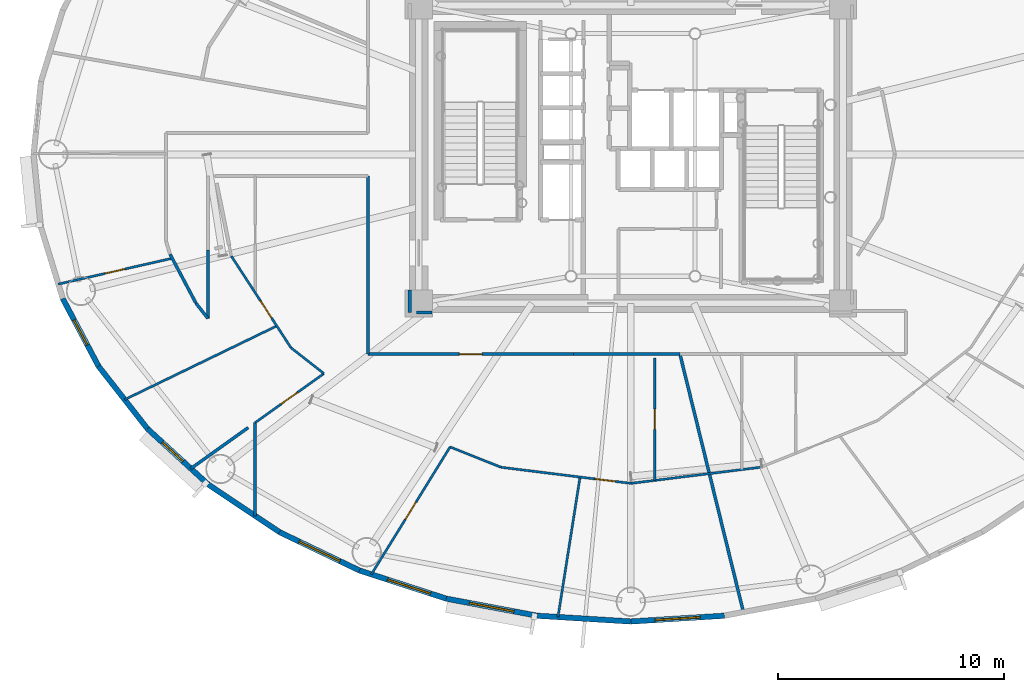
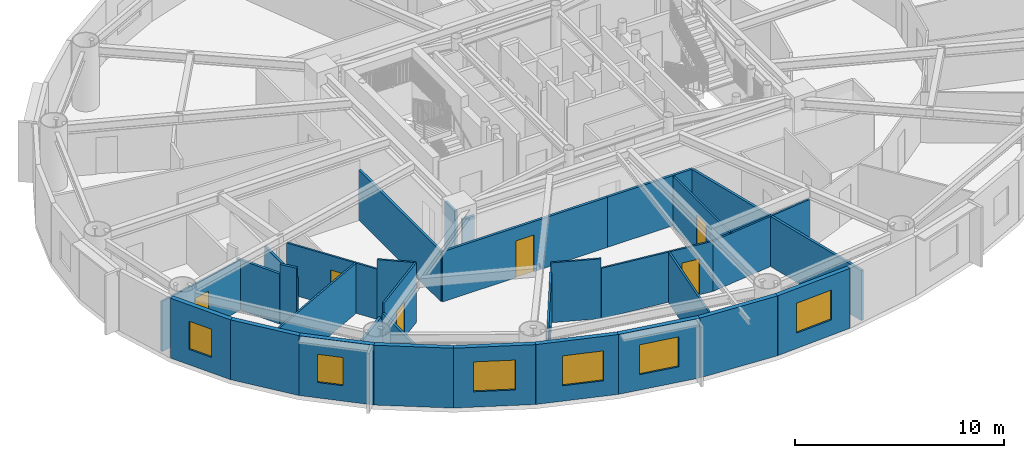
# One storey, part 9 of 21: 31 walls, 7 doors, 6 windows, 13 openings.
"""IFC4 building model written with IfcOpenShell, lengths in metres."""

import ifcopenshell
import ifcopenshell.guid

model = None  # the IFC model being written
_history = None  # IfcOwnerHistory: only IFC2X3 demands one
_inside = {}  # id of a spatial element -> (the spatial element, [elements in it])
_under = {}  # id of a project, library or spatial element -> (it, [spatial elements below it])
_declared = {}  # id of a project -> (the project, [libraries it declares])
_typed = {}  # id of a type object -> (the type object, [elements of that type])
_made_of = {}  # id of a material, layer set ... -> (it, [elements and type objects made of it])


def new_model(schema):
    """Start an empty IFC model of exactly this schema.

    Asked for "IFC4X3", IfcOpenShell would pick the latest addendum, in which some entities
    have other attributes; the version numbers below select the first issue.
    IFC2X3 requires an IfcOwnerHistory on every rooted entity: one is made here for all.
    """
    global model, _history
    if schema == "IFC4X3":
        model = ifcopenshell.file(schema_version=(4, 3, 0, 0))
    else:
        model = ifcopenshell.file(schema=schema)
    _inside.clear()
    _under.clear()
    _declared.clear()
    _typed.clear()
    _made_of.clear()
    _history = None
    if model.schema == "IFC2X3":
        org = make("IfcOrganization", Name="unknown")
        user = make(
            "IfcPersonAndOrganization",
            ThePerson=make("IfcPerson", FamilyName="unknown"),
            TheOrganization=org,
        )
        app = make(
            "IfcApplication",
            ApplicationDeveloper=org,
            Version="unknown",
            ApplicationFullName="unknown",
            ApplicationIdentifier="unknown",
        )
        _history = make(
            "IfcOwnerHistory",
            OwningUser=user,
            OwningApplication=app,
            ChangeAction="ADDED",
            CreationDate=0,
        )
    return model


def make(cls, **values):
    """One entity of the class cls with the attributes given. An attribute that is None is left unset."""
    return model.create_entity(
        cls, **{name: value for name, value in values.items() if value is not None}
    )


def rooted(cls, **values):
    """An entity with a GlobalId (a new one), such as an element, a storey or a relation."""
    return make(cls, GlobalId=ifcopenshell.guid.new(), OwnerHistory=_history, **values)


def si_unit(unit_type, name, prefix=None):
    """IfcSIUnit, for example si_unit("LENGTHUNIT", "METRE", prefix="MILLI")."""
    return make("IfcSIUnit", UnitType=unit_type, Prefix=prefix, Name=name)


def assignment(units):
    """IfcUnitAssignment: the units of a project."""
    return None if units is None else make("IfcUnitAssignment", Units=units)


def point(xyz):
    """IfcCartesianPoint."""
    return None if xyz is None else make("IfcCartesianPoint", Coordinates=xyz)


def direction(xyz):
    """IfcDirection."""
    return None if xyz is None else make("IfcDirection", DirectionRatios=xyz)


def frame(location, z_axis=None, x_axis=None):
    """IfcAxis2Placement3D, a coordinate frame: its origin and axes. An axis left out is left unset."""
    return make(
        "IfcAxis2Placement3D",
        Location=point(location),
        Axis=direction(z_axis),
        RefDirection=direction(x_axis),
    )


def frame_2d(location, x_axis=None):
    """IfcAxis2Placement2D, a coordinate frame in the plane: its origin and x axis."""
    return make(
        "IfcAxis2Placement2D", Location=point(location), RefDirection=direction(x_axis)
    )


def origin():
    """The frame at (0, 0, 0) with its axes left unset."""
    return frame((0.0, 0.0, 0.0))


def origin_2d():
    """The frame at (0, 0) in the plane with its x axis left unset."""
    return frame_2d((0.0, 0.0))


def place(relative_to, where):
    """IfcLocalPlacement: puts the frame where relative to a parent placement (None: the world)."""
    return make(
        "IfcLocalPlacement", PlacementRelTo=relative_to, RelativePlacement=where
    )


def context(
    kind, dimensions, precision=None, world=None, true_north=None, identifier=None
):
    """IfcGeometricRepresentationContext, for example the 3D "Model" context."""
    return make(
        "IfcGeometricRepresentationContext",
        ContextIdentifier=identifier,
        ContextType=kind,
        CoordinateSpaceDimension=dimensions,
        Precision=precision,
        WorldCoordinateSystem=world,
        TrueNorth=true_north,
    )


def subcontext(parent, identifier, kind, view, scale=None):
    """IfcGeometricRepresentationSubContext, for example "Body" below "Model"."""
    return make(
        "IfcGeometricRepresentationSubContext",
        ContextIdentifier=identifier,
        ContextType=kind,
        ParentContext=parent,
        TargetScale=scale,
        TargetView=view,
    )


def project(units=None, contexts=None):
    """IfcProject with its units and contexts."""
    return rooted(
        "IfcProject",
        Name="project",
        RepresentationContexts=contexts,
        UnitsInContext=assignment(units),
    )


def spatial(cls, under=None, at=None, **own):
    """A site, building, storey or space (cls), placed at a placement, below another one or the project."""
    s = rooted(cls, ObjectPlacement=at, **own)
    if under is not None:
        _under.setdefault(under.id(), (under, []))[1].append(s)
    return s


def profile(cls, at=None, kind="AREA", **sizes):
    """A parametric profile (cls). Its sizes go by their IFC names, for example OverallWidth=200.0."""
    return make(cls, ProfileType=kind, Position=at, **sizes)


def rectangle(**sizes):
    """IfcRectangleProfileDef."""
    return profile("IfcRectangleProfileDef", **sizes)


def extrude(swept, where, along, depth):
    """IfcExtrudedAreaSolid: the profile swept, set in the frame where, extruded along a direction by depth."""
    return make(
        "IfcExtrudedAreaSolid",
        SweptArea=swept,
        Position=where,
        ExtrudedDirection=direction(along),
        Depth=depth,
    )


def shape(context_of_items, identifier, shape_type, items):
    """IfcShapeRepresentation: the items that make up one representation, for example the "Body"."""
    return make(
        "IfcShapeRepresentation",
        ContextOfItems=context_of_items,
        RepresentationIdentifier=identifier,
        RepresentationType=shape_type,
        Items=items,
    )


def source(mapping_origin, context_of_items, identifier, shape_type, items):
    """IfcRepresentationMap: a shape defined once, which mapped items show again and again."""
    return make(
        "IfcRepresentationMap",
        MappingOrigin=mapping_origin,
        MappedRepresentation=shape(context_of_items, identifier, shape_type, items),
    )


def transform(
    local_origin,
    x_axis=None,
    y_axis=None,
    z_axis=None,
    scale=None,
    scale2=None,
    scale3=None,
    uniform=True,
):
    """IfcCartesianTransformationOperator3D, or its non-uniform kind. x_axis, y_axis, z_axis: its Axis1, 2, 3."""
    if uniform:
        return make(
            "IfcCartesianTransformationOperator3D",
            Axis1=direction(x_axis),
            Axis2=direction(y_axis),
            LocalOrigin=point(local_origin),
            Scale=scale,
            Axis3=direction(z_axis),
        )
    return make(
        "IfcCartesianTransformationOperator3DnonUniform",
        Axis1=direction(x_axis),
        Axis2=direction(y_axis),
        LocalOrigin=point(local_origin),
        Scale=scale,
        Axis3=direction(z_axis),
        Scale2=scale2,
        Scale3=scale3,
    )


def mapped(mapping_source, mapping_target):
    """IfcMappedItem: shows the shape of a source again, moved by a transform."""
    return make(
        "IfcMappedItem", MappingSource=mapping_source, MappingTarget=mapping_target
    )


def material(Name=None, Category=None):
    """IfcMaterial."""
    return make("IfcMaterial", Name=Name, Category=Category)


def layer(
    of_material, thickness, ventilated=None, Name=None, Category=None, Priority=None
):
    """IfcMaterialLayer: one layer of a wall or slab, of a material (None: an air gap)."""
    return make(
        "IfcMaterialLayer",
        Material=of_material,
        LayerThickness=thickness,
        IsVentilated=ventilated,
        Name=Name,
        Category=Category,
        Priority=Priority,
    )


def layer_set(layers, Name=None):
    """IfcMaterialLayerSet."""
    return make("IfcMaterialLayerSet", MaterialLayers=layers, LayerSetName=Name)


def made_of(thing, what):
    """Note that an element or type object is made of a material, layer set ...; save() writes the relation."""
    if what is not None:
        _made_of.setdefault(what.id(), (what, []))[1].append(thing)
    return thing


def type_object(cls, material=None, **own):
    """A type object (cls), such as IfcWallType, which elements share."""
    return made_of(rooted(cls, **own), material)


def element(
    cls,
    number,
    at=None,
    inside=None,
    cuts=None,
    type_object=None,
    material=None,
    context=None,
    identifier="Body",
    shape_type=None,
    held_by="IfcProductDefinitionShape",
    body=None,
    shapes=None,
    **own,
):
    """One element of the class cls, such as IfcWall. Its Tag is "e" and its number.

    at: its placement. inside: the storey or other place that contains it. cuts: it is an
    opening in that element (IfcRelVoidsElement). A single representation is given by context,
    identifier, shape_type and body (its items); several are given by shapes. held_by: the class
    of the entity that holds the representations. save() writes the other relations.
    """
    e = rooted(cls, Tag="e%d" % number, ObjectPlacement=at, **own)
    if body is not None:
        shapes = [shape(context, identifier, shape_type, body)]
    if shapes is not None:
        e.Representation = make(held_by, Representations=shapes)
    if inside is not None:
        _inside.setdefault(inside.id(), (inside, []))[1].append(e)
    if cuts is not None:
        rooted(
            "IfcRelVoidsElement", RelatingBuildingElement=cuts, RelatedOpeningElement=e
        )
    if type_object is not None:
        _typed.setdefault(type_object.id(), (type_object, []))[1].append(e)
    return made_of(e, material)


def fill(opening, filler):
    """IfcRelFillsElement: the door or window that sits in an opening."""
    return rooted(
        "IfcRelFillsElement",
        RelatingOpeningElement=opening,
        RelatedBuildingElement=filler,
    )


def aggregate(whole, parts):
    """IfcRelAggregates: a whole, such as a stair, and the parts it consists of."""
    return rooted("IfcRelAggregates", RelatingObject=whole, RelatedObjects=parts)


def save(model, path):
    """Write the relations noted so far, then the file.

    IfcRelAggregates (storeys below a building ...), IfcRelContainedInSpatialStructure (elements
    in a storey), IfcRelDefinesByType, IfcRelAssociatesMaterial and IfcRelDeclares: one each for
    every whole, place, type object, material and project.
    """
    for whole, parts in _under.values():
        aggregate(whole, parts)
    for where, things in _inside.values():
        rooted(
            "IfcRelContainedInSpatialStructure",
            RelatedElements=things,
            RelatingStructure=where,
        )
    for kind, things in _typed.values():
        rooted("IfcRelDefinesByType", RelatedObjects=things, RelatingType=kind)
    for what, things in _made_of.values():
        rooted("IfcRelAssociatesMaterial", RelatedObjects=things, RelatingMaterial=what)
    for by, libraries in _declared.values():
        rooted("IfcRelDeclares", RelatingContext=by, RelatedDefinitions=libraries)
    model.write(path)


model = new_model("IFC4")

# Units and contexts
model_context = context("Model", 3, precision=1e-05, world=origin(), true_north=direction((0.0, 1.0)))
body_context = subcontext(model_context, "Body", "Model", "MODEL_VIEW")
ifc_project = project(units=[si_unit("LENGTHUNIT", "METRE"), si_unit("AREAUNIT", "SQUARE_METRE"), si_unit("VOLUMEUNIT", "CUBIC_METRE"), si_unit("PLANEANGLEUNIT", "RADIAN"), si_unit("MASSUNIT", "GRAM", prefix="KILO")], contexts=[model_context])

# Site, building, storey
site_placement = place(None, origin())
site = spatial("IfcSite", under=ifc_project, at=site_placement, CompositionType="ELEMENT")
building_placement = place(site_placement, origin())
building = spatial("IfcBuilding", under=site, at=building_placement, Name="Linh Dai School and Residence Tower", CompositionType="ELEMENT")
storey_placement = place(building_placement, frame((0.0, 0.0, 189.89990234375)))
storey = spatial("IfcBuildingStorey", under=building, at=storey_placement, Name="L46", CompositionType="ELEMENT", Elevation=189.89990234375)

# Wall, opening, window
ifc_material_1 = material(Name="Precast Concrete B45 (C35/45)", Category="concrete")
ifc_layer_1 = layer(ifc_material_1, 0.239990234375)
ifc_layer_set_1 = layer_set([ifc_layer_1], Name="Precast Concrete B45 (C35/45)")
wall_type_1 = type_object("IfcWallType", Name="EW-TC-240", PredefinedType="SOLIDWALL", material=ifc_layer_set_1)
wall_1_placement = place(storey_placement, frame((12.404052734375, 17.611572265625, 0.0), z_axis=(0.0, 0.0, 1.0), x_axis=(-0.467586874938, 0.88394712194, 0.0)))
wall_1 = element("IfcWall", 1, at=wall_1_placement, inside=storey, type_object=wall_type_1, Name="L46 Terracotta Exterior Wall 23", PredefinedType="SOLIDWALL", context=body_context, shape_type="SweptSolid", body=[
    extrude(rectangle(XDim=3.393310546875, YDim=0.239990234375, at=frame_2d((1.69677734375, 0.0))), origin(), (0.0, 0.0, 1.0), 3.5),
])
opening_1_placement = place(wall_1_placement, frame((1.07177734375, 0.0, 0.89990234375)))
opening_1 = element("IfcOpeningElement", 2, at=opening_1_placement, cuts=wall_1, Name="Opening W3", PredefinedType="OPENING", context=body_context, shape_type="SweptSolid", body=[
    extrude(rectangle(XDim=1.25, YDim=1.64990234375, at=origin_2d()), frame((0.625, 0.1298828125, 0.824951171875), z_axis=(0.0, -1.0, 0.0), x_axis=(1.0, 0.0, 0.0)), (0.0, 0.0, 1.0), 0.260009765625),
])
ifc_material_2 = material(Name="Double Low-E Insulated Glazing", Category="glass")
window_type_1 = type_object("IfcWindowType", Name="WN-RES-1250x1650", PartitioningType="SINGLE_PANEL", PredefinedType="WINDOW", material=ifc_material_2)
shared_shape_1 = source(origin(), body_context, "Body", "SweptSolid", [
    extrude(rectangle(XDim=1.25, YDim=1.64990234375, at=origin_2d()), frame((0.625, 0.030029296875, 0.824951171875), z_axis=(0.0, -1.0, 0.0), x_axis=(1.0, 0.0, 0.0)), (0.0, 0.0, 1.0), 0.06005859375),
])
window_1_placement = place(opening_1_placement, origin())
window_1 = element("IfcWindow", 3, at=window_1_placement, inside=storey, type_object=window_type_1, Name="L46 Dwelling Window U4601-BD2", OverallHeight=1.64990234375, OverallWidth=1.25, PartitioningType="SINGLE_PANEL", PredefinedType="WINDOW", context=body_context, shape_type="MappedRepresentation", body=[
    mapped(shared_shape_1, transform((0.0, 0.0, 0.0), x_axis=(1.0, 0.0, 0.0), y_axis=(0.0, 1.0, 0.0), z_axis=(0.0, 0.0, 1.0), scale=1.0)),
])
fill(opening_1, window_1)

# Wall
wall_2_placement = place(storey_placement, frame((14.57177734375, 14.841552734375, 0.0), z_axis=(0.0, 0.0, 1.0), x_axis=(-0.616287674549, 0.787521112224, 0.0)))
element("IfcWall", 4, at=wall_2_placement, inside=storey, type_object=wall_type_1, Name="L46 Terracotta Exterior Wall 24", PredefinedType="SOLIDWALL", context=body_context, shape_type="SweptSolid", body=[
    extrude(rectangle(XDim=3.517333984375, YDim=0.239990234375, at=frame_2d((1.7587890625, 0.0))), origin(), (0.0, 0.0, 1.0), 3.5),
])

# Wall, opening, window
wall_3_placement = place(storey_placement, frame((17.26806640625, 12.369384765625, 0.0), z_axis=(0.0, 0.0, 1.0), x_axis=(-0.737076565834, 0.675809245349, 0.0)))
wall_3 = element("IfcWall", 5, at=wall_3_placement, inside=storey, type_object=wall_type_1, Name="L46 Terracotta Exterior Wall 25", PredefinedType="SOLIDWALL", context=body_context, shape_type="SweptSolid", body=[
    extrude(rectangle(XDim=3.658203125, YDim=0.239990234375, at=frame_2d((1.8291015625, 0.0))), origin(), (0.0, 0.0, 1.0), 3.5),
])
opening_2_placement = place(wall_3_placement, frame((1.51806640625, 0.0, 0.89990234375)))
opening_2 = element("IfcOpeningElement", 6, at=opening_2_placement, cuts=wall_3, Name="Opening W3", PredefinedType="OPENING", context=body_context, shape_type="SweptSolid", body=[
    extrude(rectangle(XDim=1.25, YDim=1.64990234375, at=origin_2d()), frame((0.625, 0.1298828125, 0.824951171875), z_axis=(0.0, -1.0, 0.0), x_axis=(1.0, 0.0, 0.0)), (0.0, 0.0, 1.0), 0.260009765625),
])
window_2_placement = place(opening_2_placement, origin())
window_2 = element("IfcWindow", 7, at=window_2_placement, inside=storey, type_object=window_type_1, Name="L46 Exterior Window 25.1", OverallHeight=1.64990234375, OverallWidth=1.25, PartitioningType="SINGLE_PANEL", PredefinedType="WINDOW", context=body_context, shape_type="MappedRepresentation", body=[
    mapped(shared_shape_1, transform((0.0, 0.0, 0.0), x_axis=(1.0, 0.0, 0.0), y_axis=(0.0, 1.0, 0.0), z_axis=(0.0, 0.0, 1.0), scale=1.0)),
])
fill(opening_2, window_2)

# Wall
wall_4_placement = place(storey_placement, frame((20.4267578125, 10.2568359375, 0.0), z_axis=(0.0, 0.0, 1.0), x_axis=(-0.831228998277, 0.555930168657, 0.0)))
element("IfcWall", 8, at=wall_4_placement, inside=storey, type_object=wall_type_1, Name="L46 Terracotta Exterior Wall 26", PredefinedType="SOLIDWALL", context=body_context, shape_type="SweptSolid", body=[
    extrude(rectangle(XDim=3.800048828125, YDim=0.239990234375, at=frame_2d((1.89990234375, 0.0))), origin(), (0.0, 0.0, 1.0), 3.5),
])

# Wall, opening, window
wall_5_placement = place(storey_placement, frame((23.97021484375, 8.556396484375, 0.0), z_axis=(0.0, 0.0, 1.0), x_axis=(-0.901564733809, 0.432644231155, 0.0)))
wall_5 = element("IfcWall", 9, at=wall_5_placement, inside=storey, type_object=wall_type_1, Name="L46 Terracotta Exterior Wall 27", PredefinedType="SOLIDWALL", context=body_context, shape_type="SweptSolid", body=[
    extrude(rectangle(XDim=3.930419921875, YDim=0.239990234375, at=frame_2d((1.96533203125, 0.0))), origin(), (0.0, 0.0, 1.0), 3.5),
])
opening_3_placement = place(wall_5_placement, frame((0.965087890625, 0.0, 0.89990234375)))
opening_3 = element("IfcOpeningElement", 10, at=opening_3_placement, cuts=wall_5, Name="Opening W1", PredefinedType="OPENING", context=body_context, shape_type="SweptSolid", body=[
    extrude(rectangle(XDim=2.0, YDim=1.75, at=origin_2d()), frame((1.0, 0.1298828125, 0.875), z_axis=(0.0, -1.0, 0.0), x_axis=(1.0, 0.0, 0.0)), (0.0, 0.0, 1.0), 0.260009765625),
])
window_type_2 = type_object("IfcWindowType", Name="WN-RES-2000x1750", PartitioningType="DOUBLE_PANEL_VERTICAL", PredefinedType="WINDOW", material=ifc_material_2)
shared_shape_2 = source(origin(), body_context, "Body", "SweptSolid", [
    extrude(rectangle(XDim=2.0, YDim=1.75, at=origin_2d()), frame((1.0, 0.030029296875, 0.875), z_axis=(0.0, -1.0, 0.0), x_axis=(1.0, 0.0, 0.0)), (0.0, 0.0, 1.0), 0.06005859375),
])
window_3_placement = place(opening_3_placement, origin())
window_3 = element("IfcWindow", 11, at=window_3_placement, inside=storey, type_object=window_type_2, Name="L46 Exterior Window 27.1", OverallHeight=1.75, OverallWidth=2.0, PartitioningType="DOUBLE_PANEL_VERTICAL", PredefinedType="WINDOW", context=body_context, shape_type="MappedRepresentation", body=[
    mapped(shared_shape_2, transform((0.0, 0.0, 0.0), x_axis=(1.0, 0.0, 0.0), y_axis=(0.0, 1.0, 0.0), z_axis=(0.0, 0.0, 1.0), scale=1.0)),
])
fill(opening_3, window_3)

wall_6_placement = place(storey_placement, frame((27.81103515625, 7.310546875, 0.0), z_axis=(0.0, 0.0, 1.0), x_axis=(-0.951209870236, 0.30854462038, 0.0)))
wall_6 = element("IfcWall", 12, at=wall_6_placement, inside=storey, type_object=wall_type_1, Name="L46 Terracotta Exterior Wall 28", PredefinedType="SOLIDWALL", context=body_context, shape_type="SweptSolid", body=[
    extrude(rectangle(XDim=4.037841796875, YDim=0.239990234375, at=frame_2d((2.01904296875, 0.0))), origin(), (0.0, 0.0, 1.0), 3.5),
])
opening_4_placement = place(wall_6_placement, frame((0.7294921875, 0.0, 0.89990234375)))
opening_4 = element("IfcOpeningElement", 13, at=opening_4_placement, cuts=wall_6, Name="Opening W1", PredefinedType="OPENING", context=body_context, shape_type="SweptSolid", body=[
    extrude(rectangle(XDim=2.0, YDim=1.75, at=origin_2d()), frame((1.0, 0.1298828125, 0.875), z_axis=(0.0, -1.0, 0.0), x_axis=(1.0, 0.0, 0.0)), (0.0, 0.0, 1.0), 0.260009765625),
])
window_4_placement = place(opening_4_placement, origin())
window_4 = element("IfcWindow", 14, at=window_4_placement, inside=storey, type_object=window_type_2, Name="L46 Exterior Window 28.1", OverallHeight=1.75, OverallWidth=2.0, PartitioningType="DOUBLE_PANEL_VERTICAL", PredefinedType="WINDOW", context=body_context, shape_type="MappedRepresentation", body=[
    mapped(shared_shape_2, transform((0.0, 0.0, 0.0), x_axis=(1.0, 0.0, 0.0), y_axis=(0.0, 1.0, 0.0), z_axis=(0.0, 0.0, 1.0), scale=1.0)),
])
fill(opening_4, window_4)

wall_7_placement = place(storey_placement, frame((31.854248046875, 6.550537109375, 0.0), z_axis=(0.0, 0.0, 1.0), x_axis=(-0.982788108205, 0.184736391573, 0.0)))
wall_7 = element("IfcWall", 15, at=wall_7_placement, inside=storey, type_object=wall_type_1, Name="L46 Terracotta Exterior Wall 29", PredefinedType="SOLIDWALL", context=body_context, shape_type="SweptSolid", body=[
    extrude(rectangle(XDim=4.114013671875, YDim=0.239990234375, at=frame_2d((2.05712890625, 0.0))), origin(), (0.0, 0.0, 1.0), 3.5),
])
opening_5_placement = place(wall_7_placement, frame((1.056884765625, 0.0, 0.89990234375)))
opening_5 = element("IfcOpeningElement", 16, at=opening_5_placement, cuts=wall_7, Name="Opening W1", PredefinedType="OPENING", context=body_context, shape_type="SweptSolid", body=[
    extrude(rectangle(XDim=2.0, YDim=1.75, at=origin_2d()), frame((1.0, 0.1298828125, 0.875), z_axis=(0.0, -1.0, 0.0), x_axis=(1.0, 0.0, 0.0)), (0.0, 0.0, 1.0), 0.260009765625),
])
window_5_placement = place(opening_5_placement, origin())
window_5 = element("IfcWindow", 17, at=window_5_placement, inside=storey, type_object=window_type_2, Name="L46 Exterior Window 29.1", OverallHeight=1.75, OverallWidth=2.0, PartitioningType="DOUBLE_PANEL_VERTICAL", PredefinedType="WINDOW", context=body_context, shape_type="MappedRepresentation", body=[
    mapped(shared_shape_2, transform((0.0, 0.0, 0.0), x_axis=(1.0, 0.0, 0.0), y_axis=(0.0, 1.0, 0.0), z_axis=(0.0, 0.0, 1.0), scale=1.0)),
])
fill(opening_5, window_5)

# Wall
wall_8_placement = place(storey_placement, frame((36.0, 6.294921875, 0.0), z_axis=(0.0, 0.0, 1.0), x_axis=(-0.998104600619, 0.061540281305, 0.0)))
element("IfcWall", 18, at=wall_8_placement, inside=storey, type_object=wall_type_1, Name="L46 Terracotta Exterior Wall 30", PredefinedType="SOLIDWALL", context=body_context, shape_type="SweptSolid", body=[
    extrude(rectangle(XDim=4.153564453125, YDim=0.239990234375, at=frame_2d((2.07666015625, 0.0))), origin(), (0.0, 0.0, 1.0), 3.5),
])

# Wall, opening, window
wall_9_placement = place(storey_placement, frame((40.145751953125, 6.550537109375, 0.0), z_axis=(0.0, 0.0, 1.0), x_axis=(-0.998104600619, -0.061540281305, 0.0)))
wall_9 = element("IfcWall", 19, at=wall_9_placement, inside=storey, type_object=wall_type_1, Name="L46 Terracotta Exterior Wall 31", PredefinedType="SOLIDWALL", context=body_context, shape_type="SweptSolid", body=[
    extrude(rectangle(XDim=4.153564453125, YDim=0.239990234375, at=frame_2d((2.07666015625, 0.0))), origin(), (0.0, 0.0, 1.0), 3.5),
])
opening_6_placement = place(wall_9_placement, frame((1.076904296875, 0.0, 0.89990234375)))
opening_6 = element("IfcOpeningElement", 20, at=opening_6_placement, cuts=wall_9, Name="Opening W1", PredefinedType="OPENING", context=body_context, shape_type="SweptSolid", body=[
    extrude(rectangle(XDim=2.0, YDim=1.75, at=origin_2d()), frame((1.0, 0.1298828125, 0.875), z_axis=(0.0, -1.0, 0.0), x_axis=(1.0, 0.0, 0.0)), (0.0, 0.0, 1.0), 0.260009765625),
])
window_6_placement = place(opening_6_placement, origin())
window_6 = element("IfcWindow", 21, at=window_6_placement, inside=storey, type_object=window_type_2, Name="L46 Exterior Window 31.1", OverallHeight=1.75, OverallWidth=2.0, PartitioningType="DOUBLE_PANEL_VERTICAL", PredefinedType="WINDOW", context=body_context, shape_type="MappedRepresentation", body=[
    mapped(shared_shape_2, transform((0.0, 0.0, 0.0), x_axis=(1.0, 0.0, 0.0), y_axis=(0.0, 1.0, 0.0), z_axis=(0.0, 0.0, 1.0), scale=1.0)),
])
fill(opening_6, window_6)

# Walls
ifc_material_3 = material(Name="Autoclaved Aerated Concrete Blockwork", Category="masonry")
ifc_layer_2 = layer(ifc_material_3, 0.135009765625)
ifc_layer_set_2 = layer_set([ifc_layer_2], Name="Autoclaved Aerated Concrete Blockwork")
wall_type_2 = type_object("IfcWallType", Name="IW-CORR-135-EI90", PredefinedType="PARTITIONING", material=ifc_layer_set_2)
wall_10_placement = place(storey_placement, frame((15.57421875, 22.577880859375, 0.0), z_axis=(0.0, 0.0, 1.0), x_axis=(0.467613130075, -0.883933233102, 0.0)))
element("IfcWall", 22, at=wall_10_placement, inside=storey, type_object=wall_type_2, Name="L46 Interior Partition Wall 009", PredefinedType="PARTITIONING", context=body_context, shape_type="SweptSolid", body=[
    extrude(rectangle(XDim=2.451171875, YDim=0.135009765625, at=frame_2d((1.2255859375, 0.0))), origin(), (0.0, 0.0, 1.0), 2.93505859375),
])
wall_11_placement = place(storey_placement, frame((16.720458984375, 20.410888671875, 0.0), z_axis=(0.0, 0.0, 1.0), x_axis=(0.616377221056, -0.787451027914, 0.0)))
element("IfcWall", 23, at=wall_11_placement, inside=storey, type_object=wall_type_2, Name="L46 Interior Partition Wall 010", PredefinedType="PARTITIONING", context=body_context, shape_type="SweptSolid", body=[
    extrude(rectangle(XDim=0.859130859375, YDim=0.135009765625, at=frame_2d((0.4296875, 0.0))), origin(), (0.0, 0.0, 1.0), 3.5),
])
wall_12_placement = place(storey_placement, frame((17.25, 19.734375, 0.0), z_axis=(0.0, 0.0, 1.0), x_axis=(0.0, 1.0, 0.0)))
element("IfcWall", 24, at=wall_12_placement, inside=storey, type_object=wall_type_2, Name="L46 Interior Partition Wall 012", PredefinedType="PARTITIONING", context=body_context, shape_type="SweptSolid", body=[
    extrude(rectangle(XDim=3.01806640625, YDim=0.135009765625, at=frame_2d((1.509033203125, 0.0))), origin(), (0.0, 0.0, 1.0), 2.93505859375),
])
wall_13_placement = place(storey_placement, frame((24.35009765625, 18.14990234375, 0.0), z_axis=(0.0, 0.0, 1.0), x_axis=(0.0, 1.0, 0.0)))
element("IfcWall", 25, at=wall_13_placement, inside=storey, type_object=wall_type_2, Name="L46 Interior Partition Wall 020", PredefinedType="PARTITIONING", context=body_context, shape_type="SweptSolid", body=[
    extrude(rectangle(XDim=7.900146484375, YDim=0.135009765625, at=frame_2d((3.9501953125, 0.0))), origin(), (0.0, 0.0, 1.0), 2.93505859375),
])

# Wall, opening, door
wall_14_placement = place(storey_placement, frame((24.35009765625, 18.14990234375, 0.0), z_axis=(0.0, 0.0, 1.0), x_axis=(1.0, 0.0, 0.0)))
wall_14 = element("IfcWall", 26, at=wall_14_placement, inside=storey, type_object=wall_type_2, Name="L46 Interior Partition Wall 021", PredefinedType="PARTITIONING", context=body_context, shape_type="SweptSolid", body=[
    extrude(rectangle(XDim=9.108642578125, YDim=0.135009765625, at=frame_2d((4.55419921875, 0.0))), origin(), (0.0, 0.0, 1.0), 2.93505859375),
])
opening_7_placement = place(wall_14_placement, frame((4.05419921875, 0.0, 0.0)))
opening_7 = element("IfcOpeningElement", 27, at=opening_7_placement, cuts=wall_14, Name="Opening D03", PredefinedType="OPENING", context=body_context, shape_type="SweptSolid", body=[
    extrude(rectangle(XDim=1.0, YDim=2.14990234375, at=origin_2d()), frame((0.5, 0.07763671875, 1.074951171875), z_axis=(0.0, -1.0, 0.0), x_axis=(1.0, 0.0, 0.0)), (0.0, 0.0, 1.0), 0.155029296875),
])
ifc_material_4 = material(Name="Fire-Rated Solid Timber Entrance Door", Category="wood")
door_type_1 = type_object("IfcDoorType", Name="DR-FLAT-1000x2150-FD60S", OperationType="NOTDEFINED", PredefinedType="DOOR", material=ifc_material_4)
shared_shape_3 = source(origin(), body_context, "Body", "SweptSolid", [
    extrude(rectangle(XDim=1.0, YDim=2.14990234375, at=origin_2d()), frame((0.5, 0.02490234375, 1.074951171875), z_axis=(0.0, -1.0, 0.0), x_axis=(1.0, 0.0, 0.0)), (0.0, 0.0, 1.0), 0.050048828125),
])
door_1_placement = place(opening_7_placement, origin())
door_1 = element("IfcDoor", 28, at=door_1_placement, inside=storey, type_object=door_type_1, Name="L46 U4601 Apartment Entrance Door", OperationType="SINGLE_SWING_LEFT", OverallHeight=2.14990234375, OverallWidth=1.0, PredefinedType="DOOR", context=body_context, shape_type="MappedRepresentation", body=[
    mapped(shared_shape_3, transform((0.0, 0.0, 0.0), x_axis=(1.0, 0.0, 0.0), y_axis=(0.0, 1.0, 0.0), z_axis=(0.0, 0.0, 1.0), scale=1.0)),
])
fill(opening_7, door_1)

# Walls
wall_15_placement = place(storey_placement, frame((38.187744140625, 18.106201171875, 0.0), z_axis=(0.0, 0.0, 1.0), x_axis=(0.238849835997, -0.971056515268, 0.0)))
element("IfcWall", 29, at=wall_15_placement, inside=storey, type_object=wall_type_2, Name="L46 Interior Partition Wall 060", PredefinedType="PARTITIONING", context=body_context, shape_type="SweptSolid", body=[
    extrude(rectangle(XDim=11.741455078125, YDim=0.135009765625, at=frame_2d((5.87060546875, 0.0))), origin(), (0.0, 0.0, 1.0), 2.93505859375),
])
wall_16_placement = place(storey_placement, frame((26.199951171875, 20.989990234375, 0.0), z_axis=(0.0, 0.0, 1.0), x_axis=(0.0, -1.0, 0.0)))
element("IfcWall", 30, at=wall_16_placement, inside=storey, type_object=wall_type_2, Name="L46 Interior Partition Wall 102", PredefinedType="PARTITIONING", context=body_context, shape_type="SweptSolid", body=[
    extrude(rectangle(XDim=0.989990234375, YDim=0.135009765625, at=frame_2d((0.4951171875, 0.0))), origin(), (0.0, 0.0, 1.0), 3.5),
])
wall_17_placement = place(storey_placement, frame((26.507568359375, 20.0, 0.0), z_axis=(0.0, 0.0, 1.0), x_axis=(1.0, 0.0, 0.0)))
element("IfcWall", 31, at=wall_17_placement, inside=storey, type_object=wall_type_2, Name="L46 Interior Partition Wall 103", PredefinedType="PARTITIONING", context=body_context, shape_type="SweptSolid", body=[
    extrude(rectangle(XDim=0.682373046875, YDim=0.135009765625, at=frame_2d((0.34130859375, 0.0))), origin(), (0.0, 0.0, 1.0), 2.93505859375),
])
wall_18_placement = place(storey_placement, frame((38.177734375, 18.14990234375, 0.0), z_axis=(0.0, 0.0, 1.0), x_axis=(-1.0, 0.0, 0.0)))
element("IfcWall", 32, at=wall_18_placement, inside=storey, type_object=wall_type_2, Name="L46 Interior Partition Wall 105", PredefinedType="PARTITIONING", context=body_context, shape_type="SweptSolid", body=[
    extrude(rectangle(XDim=4.708984375, YDim=0.135009765625, at=frame_2d((2.3544921875, 0.0))), origin(), (0.0, 0.0, 1.0), 2.93505859375),
])
wall_19_placement = place(storey_placement, frame((19.34716796875, 10.972900390625, 0.0), z_axis=(0.0, 0.0, 1.0), x_axis=(0.0, 1.0, 0.0)))
element("IfcWall", 33, at=wall_19_placement, inside=storey, type_object=wall_type_2, Name="L46 Interior Partition Wall 106", PredefinedType="PARTITIONING", context=body_context, shape_type="SweptSolid", body=[
    extrude(rectangle(XDim=4.13671875, YDim=0.135009765625, at=frame_2d((2.068359375, 0.0))), origin(), (0.0, 0.0, 1.0), 2.93505859375),
])
wall_20_placement = place(storey_placement, frame((19.039794921875, 14.89013671875, 0.0), z_axis=(0.0, 0.0, 1.0), x_axis=(-0.813828377049, -0.5811053026, 0.0)))
element("IfcWall", 34, at=wall_20_placement, inside=storey, type_object=wall_type_2, Name="L46 Interior Partition Wall 108", PredefinedType="PARTITIONING", context=body_context, shape_type="SweptSolid", body=[
    extrude(rectangle(XDim=3.12841796875, YDim=0.135009765625, at=frame_2d((1.564208984375, 0.0))), origin(), (0.0, 0.0, 1.0), 2.93505859375),
])

# Wall, opening, door
ifc_material_5 = material(Name="Gypsum Plasterboard Acoustic Stud Partition", Category="masonry")
ifc_layer_3 = layer(ifc_material_5, 0.10009765625)
ifc_layer_set_3 = layer_set([ifc_layer_3], Name="Gypsum Plasterboard Acoustic Stud Partition")
wall_type_3 = type_object("IfcWallType", Name="IW-UNIT-100", PredefinedType="PARTITIONING", material=ifc_layer_set_3)
wall_21_placement = place(storey_placement, frame((10.6162109375, 21.249755859375, 0.0), z_axis=(0.0, 0.0, 1.0), x_axis=(0.975289939743, 0.220928797208, 0.0)))
wall_21 = element("IfcWall", 35, at=wall_21_placement, inside=storey, type_object=wall_type_3, Name="L46 Interior Partition Wall 003", PredefinedType="PARTITIONING", context=body_context, shape_type="SweptSolid", body=[
    extrude(rectangle(XDim=5.182861328125, YDim=0.10009765625, at=frame_2d((2.59130859375, 0.0))), origin(), (0.0, 0.0, 1.0), 2.93505859375),
])
opening_8_placement = place(wall_21_placement, frame((2.141357421875, 0.0, 0.0)))
opening_8 = element("IfcOpeningElement", 36, at=opening_8_placement, cuts=wall_21, Name="Opening D05", PredefinedType="OPENING", context=body_context, shape_type="SweptSolid", body=[
    extrude(rectangle(XDim=0.89990234375, YDim=2.10009765625, at=origin_2d()), frame((0.449951171875, 0.06005859375, 1.050048828125), z_axis=(0.0, -1.0, 0.0), x_axis=(1.0, 0.0, 0.0)), (0.0, 0.0, 1.0), 0.1201171875),
])
ifc_material_6 = material(Name="Engineered Timber Internal Door", Category="wood")
door_type_2 = type_object("IfcDoorType", Name="DR-INT-900x2100", OperationType="NOTDEFINED", PredefinedType="DOOR", material=ifc_material_6)
shared_shape_4 = source(origin(), body_context, "Body", "SweptSolid", [
    extrude(rectangle(XDim=0.89990234375, YDim=2.10009765625, at=origin_2d()), frame((0.449951171875, 0.02490234375, 1.050048828125), z_axis=(0.0, -1.0, 0.0), x_axis=(1.0, 0.0, 0.0)), (0.0, 0.0, 1.0), 0.050048828125),
])
door_2_placement = place(opening_8_placement, origin())
door_2 = element("IfcDoor", 37, at=door_2_placement, inside=storey, type_object=door_type_2, Name="L46 Apartment U4601 Study Door", OperationType="SINGLE_SWING_RIGHT", OverallHeight=2.10009765625, OverallWidth=0.89990234375, PredefinedType="DOOR", context=body_context, shape_type="MappedRepresentation", body=[
    mapped(shared_shape_4, transform((0.0, 0.0, 0.0), x_axis=(1.0, 0.0, 0.0), y_axis=(0.0, 1.0, 0.0), z_axis=(0.0, 0.0, 1.0), scale=1.0)),
])
fill(opening_8, door_2)

# Wall
wall_22_placement = place(storey_placement, frame((13.55859375, 16.1279296875, 0.0), z_axis=(0.0, 0.0, 1.0), x_axis=(0.899957370901, 0.43597790146, 0.0)))
element("IfcWall", 38, at=wall_22_placement, inside=storey, type_object=wall_type_3, Name="L46 Interior Partition Wall 005", PredefinedType="PARTITIONING", context=body_context, shape_type="SweptSolid", body=[
    extrude(rectangle(XDim=7.498291015625, YDim=0.10009765625, at=frame_2d((3.7490234375, 0.0))), origin(), (0.0, 0.0, 1.0), 2.93505859375),
])

# Wall, opening, door
wall_23_placement = place(storey_placement, frame((18.291259765625, 22.494140625, 0.0), z_axis=(0.0, 0.0, 1.0), x_axis=(0.545382906853, -0.838187022634, 0.0)))
wall_23 = element("IfcWall", 39, at=wall_23_placement, inside=storey, type_object=wall_type_3, Name="L46 Interior Partition Wall 016", PredefinedType="PARTITIONING", context=body_context, shape_type="SweptSolid", body=[
    extrude(rectangle(XDim=4.849365234375, YDim=0.10009765625, at=frame_2d((2.4248046875, 0.0))), origin(), (0.0, 0.0, 1.0), 2.93505859375),
])
opening_9_placement = place(wall_23_placement, frame((2.365478515625, 0.0, 0.0)))
opening_9 = element("IfcOpeningElement", 40, at=opening_9_placement, cuts=wall_23, Name="Opening D05", PredefinedType="OPENING", context=body_context, shape_type="SweptSolid", body=[
    extrude(rectangle(XDim=0.89990234375, YDim=2.10009765625, at=origin_2d()), frame((0.449951171875, 0.06005859375, 1.050048828125), z_axis=(0.0, -1.0, 0.0), x_axis=(1.0, 0.0, 0.0)), (0.0, 0.0, 1.0), 0.1201171875),
])
door_3_placement = place(opening_9_placement, origin())
door_3 = element("IfcDoor", 41, at=door_3_placement, inside=storey, type_object=door_type_2, Name="L46 Apartment U4601 Principal Bedroom 2 Door", OperationType="SINGLE_SWING_RIGHT", OverallHeight=2.10009765625, OverallWidth=0.89990234375, PredefinedType="DOOR", context=body_context, shape_type="MappedRepresentation", body=[
    mapped(shared_shape_4, transform((0.0, 0.0, 0.0), x_axis=(1.0, 0.0, 0.0), y_axis=(0.0, 1.0, 0.0), z_axis=(0.0, 0.0, 1.0), scale=1.0)),
])
fill(opening_9, door_3)

wall_24_placement = place(storey_placement, frame((19.34716796875, 15.109619140625, 0.0), z_axis=(0.0, 0.0, 1.0), x_axis=(0.813856749582, 0.581065565285, 0.0)))
wall_24 = element("IfcWall", 42, at=wall_24_placement, inside=storey, type_object=wall_type_3, Name="L46 Interior Partition Wall 017", PredefinedType="PARTITIONING", context=body_context, shape_type="SweptSolid", body=[
    extrude(rectangle(XDim=3.74609375, YDim=0.10009765625, at=frame_2d((1.873046875, 0.0))), origin(), (0.0, 0.0, 1.0), 3.5),
])
opening_10_placement = place(wall_24_placement, frame((1.423095703125, 0.0, 0.0)))
opening_10 = element("IfcOpeningElement", 43, at=opening_10_placement, cuts=wall_24, Name="Opening D05", PredefinedType="OPENING", context=body_context, shape_type="SweptSolid", body=[
    extrude(rectangle(XDim=0.89990234375, YDim=2.10009765625, at=origin_2d()), frame((0.449951171875, 0.06005859375, 1.050048828125), z_axis=(0.0, -1.0, 0.0), x_axis=(1.0, 0.0, 0.0)), (0.0, 0.0, 1.0), 0.1201171875),
])
door_4_placement = place(opening_10_placement, origin())
door_4 = element("IfcDoor", 44, at=door_4_placement, inside=storey, type_object=door_type_2, Name="L46 Apartment U4601 Study Door", OperationType="SINGLE_SWING_LEFT", OverallHeight=2.10009765625, OverallWidth=0.89990234375, PredefinedType="DOOR", context=body_context, shape_type="MappedRepresentation", body=[
    mapped(shared_shape_4, transform((0.0, 0.0, 0.0), x_axis=(1.0, 0.0, 0.0), y_axis=(0.0, 1.0, 0.0), z_axis=(0.0, 0.0, 1.0), scale=1.0)),
])
fill(opening_10, door_4)

# Wall
wall_25_placement = place(storey_placement, frame((20.93603515625, 18.429443359375, 0.0), z_axis=(0.0, 0.0, 1.0), x_axis=(0.787377174631, -0.616471560472, 0.0)))
element("IfcWall", 45, at=wall_25_placement, inside=storey, type_object=wall_type_3, Name="L46 Interior Partition Wall 019", PredefinedType="PARTITIONING", context=body_context, shape_type="SweptSolid", body=[
    extrude(rectangle(XDim=1.854248046875, YDim=0.10009765625, at=frame_2d((0.92724609375, 0.0))), origin(), (0.0, 0.0, 1.0), 3.5),
])

# Wall, opening, door
wall_26_placement = place(storey_placement, frame((24.49658203125, 8.38037109375, 0.0), z_axis=(0.0, 0.0, 1.0), x_axis=(0.525599261466, 0.850732282417, 0.0)))
wall_26 = element("IfcWall", 46, at=wall_26_placement, inside=storey, type_object=wall_type_3, Name="L46 Interior Partition Wall 024", PredefinedType="PARTITIONING", context=body_context, shape_type="SweptSolid", body=[
    extrude(rectangle(XDim=6.644775390625, YDim=0.10009765625, at=frame_2d((3.322265625, 0.0))), origin(), (0.0, 0.0, 1.0), 2.93505859375),
])
opening_11_placement = place(wall_26_placement, frame((2.872314453125, 0.0, 0.0)))
opening_11 = element("IfcOpeningElement", 47, at=opening_11_placement, cuts=wall_26, Name="Opening D05", PredefinedType="OPENING", context=body_context, shape_type="SweptSolid", body=[
    extrude(rectangle(XDim=0.89990234375, YDim=2.10009765625, at=origin_2d()), frame((0.449951171875, 0.06005859375, 1.050048828125), z_axis=(0.0, -1.0, 0.0), x_axis=(1.0, 0.0, 0.0)), (0.0, 0.0, 1.0), 0.1201171875),
])
door_5_placement = place(opening_11_placement, origin())
door_5 = element("IfcDoor", 48, at=door_5_placement, inside=storey, type_object=door_type_2, Name="L46 Apartment U4601 Principal Bedroom 3 Door", OperationType="SINGLE_SWING_RIGHT", OverallHeight=2.10009765625, OverallWidth=0.89990234375, PredefinedType="DOOR", context=body_context, shape_type="MappedRepresentation", body=[
    mapped(shared_shape_4, transform((0.0, 0.0, 0.0), x_axis=(1.0, 0.0, 0.0), y_axis=(0.0, 1.0, 0.0), z_axis=(0.0, 0.0, 1.0), scale=1.0)),
])
fill(opening_11, door_5)

# Wall
wall_27_placement = place(storey_placement, frame((27.989013671875, 14.033203125, 0.0), z_axis=(0.0, 0.0, 1.0), x_axis=(0.928788148018, -0.370611084699, 0.0)))
element("IfcWall", 49, at=wall_27_placement, inside=storey, type_object=wall_type_3, Name="L46 Interior Partition Wall 026", PredefinedType="PARTITIONING", context=body_context, shape_type="SweptSolid", body=[
    extrude(rectangle(XDim=2.43017578125, YDim=0.10009765625, at=frame_2d((1.215087890625, 0.0))), origin(), (0.0, 0.0, 1.0), 3.5),
])

# Wall, opening, door
wall_28_placement = place(storey_placement, frame((30.24609375, 13.132568359375, 0.0), z_axis=(0.0, 0.0, 1.0), x_axis=(0.992396615981, -0.123081097612, 0.0)))
wall_28 = element("IfcWall", 50, at=wall_28_placement, inside=storey, type_object=wall_type_3, Name="L46 Interior Partition Wall 028", PredefinedType="PARTITIONING", context=body_context, shape_type="SweptSolid", body=[
    extrude(rectangle(XDim=5.798095703125, YDim=0.10009765625, at=frame_2d((2.89892578125, 0.0))), origin(), (0.0, 0.0, 1.0), 2.93505859375),
])
opening_12_placement = place(wall_28_placement, frame((4.19384765625, 0.0, 0.0)))
opening_12 = element("IfcOpeningElement", 51, at=opening_12_placement, cuts=wall_28, Name="Opening D05", PredefinedType="OPENING", context=body_context, shape_type="SweptSolid", body=[
    extrude(rectangle(XDim=0.89990234375, YDim=2.10009765625, at=origin_2d()), frame((0.449951171875, 0.06005859375, 1.050048828125), z_axis=(0.0, -1.0, 0.0), x_axis=(1.0, 0.0, 0.0)), (0.0, 0.0, 1.0), 0.1201171875),
])
door_6_placement = place(opening_12_placement, origin())
door_6 = element("IfcDoor", 52, at=door_6_placement, inside=storey, type_object=door_type_2, Name="L46 Apartment U4601 Principal Bedroom 4 Door", OperationType="SINGLE_SWING_LEFT", OverallHeight=2.10009765625, OverallWidth=0.89990234375, PredefinedType="DOOR", context=body_context, shape_type="MappedRepresentation", body=[
    mapped(shared_shape_4, transform((0.0, 0.0, 0.0), x_axis=(1.0, 0.0, 0.0), y_axis=(0.0, 1.0, 0.0), z_axis=(0.0, 0.0, 1.0), scale=1.0)),
])
fill(opening_12, door_6)

# Walls
wall_29_placement = place(storey_placement, frame((32.771728515625, 6.489013671875, 0.0), z_axis=(0.0, 0.0, 1.0), x_axis=(0.155479878696, 0.987839059423, 0.0)))
element("IfcWall", 53, at=wall_29_placement, inside=storey, type_object=wall_type_3, Name="L46 Interior Partition Wall 038", PredefinedType="PARTITIONING", context=body_context, shape_type="SweptSolid", body=[
    extrude(rectangle(XDim=6.28564453125, YDim=0.10009765625, at=frame_2d((3.142822265625, 0.0))), origin(), (0.0, 0.0, 1.0), 2.93505859375),
])
wall_30_placement = place(storey_placement, frame((36.0, 12.4189453125, 0.0), z_axis=(0.0, 0.0, 1.0), x_axis=(0.992396615981, 0.123081097612, 0.0)))
element("IfcWall", 54, at=wall_30_placement, inside=storey, type_object=wall_type_3, Name="L46 Interior Partition Wall 053", PredefinedType="PARTITIONING", context=body_context, shape_type="SweptSolid", body=[
    extrude(rectangle(XDim=5.798095703125, YDim=0.10009765625, at=frame_2d((2.89892578125, 0.0))), origin(), (0.0, 0.0, 1.0), 2.93505859375),
])

# Wall, opening, door
wall_31_placement = place(storey_placement, frame((37.064453125, 12.551025390625, 0.0), z_axis=(0.0, 0.0, 1.0), x_axis=(0.0, 1.0, 0.0)))
wall_31 = element("IfcWall", 55, at=wall_31_placement, inside=storey, type_object=wall_type_3, Name="L46 Interior Partition Wall 058", PredefinedType="PARTITIONING", context=body_context, shape_type="SweptSolid", body=[
    extrude(rectangle(XDim=5.415771484375, YDim=0.10009765625, at=frame_2d((2.7080078125, 0.0))), origin(), (0.0, 0.0, 1.0), 2.985107421875),
])
opening_13_placement = place(wall_31_placement, frame((2.2578125, 0.0, 0.0)))
opening_13 = element("IfcOpeningElement", 56, at=opening_13_placement, cuts=wall_31, Name="Opening D05", PredefinedType="OPENING", context=body_context, shape_type="SweptSolid", body=[
    extrude(rectangle(XDim=0.89990234375, YDim=2.10009765625, at=origin_2d()), frame((0.449951171875, 0.06005859375, 1.050048828125), z_axis=(0.0, -1.0, 0.0), x_axis=(1.0, 0.0, 0.0)), (0.0, 0.0, 1.0), 0.1201171875),
])
door_7_placement = place(opening_13_placement, origin())
door_7 = element("IfcDoor", 57, at=door_7_placement, inside=storey, type_object=door_type_2, Name="L46 Apartment U4601 Kitchen Door", OperationType="SINGLE_SWING_LEFT", OverallHeight=2.10009765625, OverallWidth=0.89990234375, PredefinedType="DOOR", context=body_context, shape_type="MappedRepresentation", body=[
    mapped(shared_shape_4, transform((0.0, 0.0, 0.0), x_axis=(1.0, 0.0, 0.0), y_axis=(0.0, 1.0, 0.0), z_axis=(0.0, 0.0, 1.0), scale=1.0)),
])
fill(opening_13, door_7)

save(model, "model.ifc")
